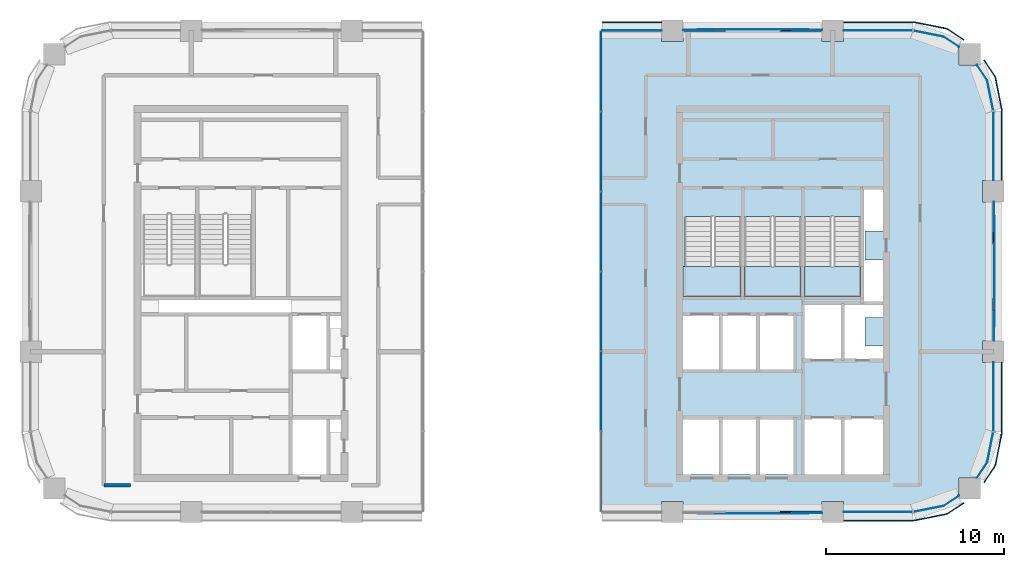
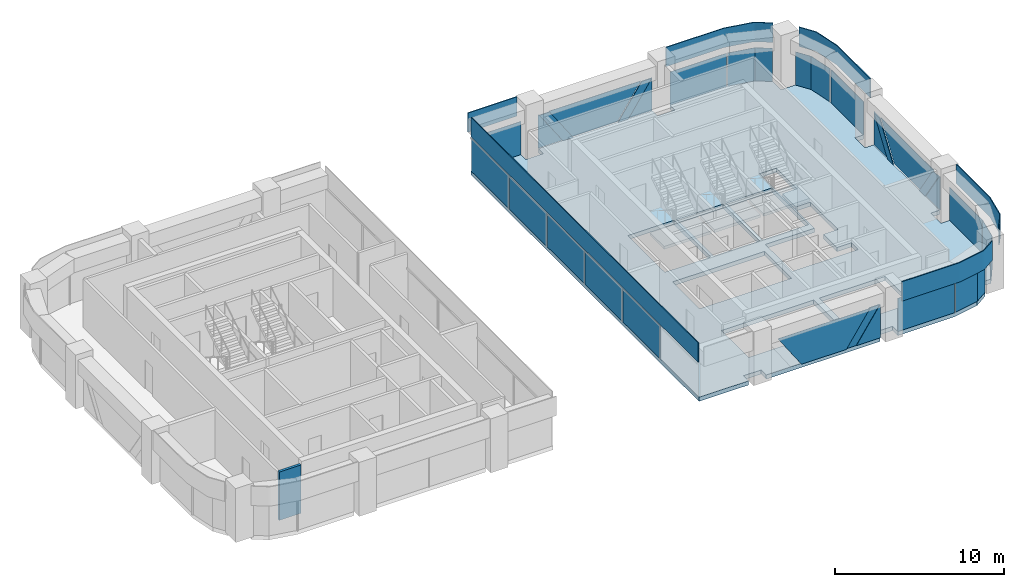
# One storey, part 5 of 11: 33 plates, 4 slabs, 1 wall, 12 elements without a shape of their own.
"""IFC4 building model written with IfcOpenShell, lengths in metres."""

from ifc_helpers import new_model, si_unit, direction, frame, frame_2d, origin, origin_2d, place, context, subcontext, project, spatial, polyline, rectangle, outline, extrude, material, layer, layer_set, type_object, element, aggregate, save


model = new_model("IFC4")

# Units and contexts
model_context = context("Model", 3, precision=1e-05, world=origin(), true_north=direction((0.0, 1.0)))
body_context = subcontext(model_context, "Body", "Model", "MODEL_VIEW")
ifc_project = project(units=[si_unit("LENGTHUNIT", "METRE"), si_unit("AREAUNIT", "SQUARE_METRE"), si_unit("VOLUMEUNIT", "CUBIC_METRE"), si_unit("PLANEANGLEUNIT", "RADIAN"), si_unit("MASSUNIT", "GRAM", prefix="KILO")], contexts=[model_context])

# Site, building, storey
site_placement = place(None, origin())
site = spatial("IfcSite", under=ifc_project, at=site_placement, CompositionType="ELEMENT")
building_placement = place(site_placement, origin())
building = spatial("IfcBuilding", under=site, at=building_placement, Name="Tessera Arch", CompositionType="ELEMENT")
storey_placement = place(building_placement, frame((0.0, 0.0, 222.800048828125)))
storey = spatial("IfcBuildingStorey", under=building, at=storey_placement, Name="L53", CompositionType="ELEMENT", Elevation=222.800048828125)

# Curtain wall, plates
ifc_material_1 = material(Name="CW1 curtain wall")
curtain_wall_type_1 = type_object("IfcCurtainWallType", Name="CW1 curtain wall", PredefinedType="NOTDEFINED", material=ifc_material_1)
curtain_wall_1_placement = place(storey_placement, origin())
curtain_wall_1 = element("IfcCurtainWall", 1, at=curtain_wall_1_placement, inside=storey, type_object=curtain_wall_type_1, Name="CW1 curtain wall N54.32/2 L53", PredefinedType="NOTDEFINED")
ifc_material_2 = material(Name="Clear low-e glass", Category="glass")
ifc_material_3 = material(Name="Clear low-e glass", Category="glass")
ifc_layer_1 = layer(ifc_material_3, 0.028076171875)
ifc_layer_set_1 = layer_set([ifc_layer_1], Name="CW1 glass panel")
plate_type_1 = type_object("IfcPlateType", Name="CW1 glass panel", PredefinedType="CURTAIN_PANEL", material=ifc_layer_set_1)
plate_1_placement = place(storey_placement, frame((33.72509765625, 54.0, 0.0), z_axis=(0.0, 0.0, 1.0), x_axis=(-1.0, 0.0, 0.0)))
plate_1 = element("IfcPlate", 2, at=plate_1_placement, type_object=plate_type_1, material=ifc_material_2, Name="CW1 glass panel N54.32/2 1.1.1", PredefinedType="CURTAIN_PANEL", context=body_context, shape_type="SweptSolid", body=[
    extrude(rectangle(XDim=3.35009765625, YDim=0.028076171875, at=origin_2d()), origin(), (0.0, 0.0, 1.0), 2.39990234375),
])
ifc_material_4 = material(Name="Pale anodised aluminium panel", Category="aluminium")
ifc_layer_2 = layer(ifc_material_4, 0.06005859375)
ifc_layer_set_2 = layer_set([ifc_layer_2], Name="CW1 spandrel panel")
plate_type_2 = type_object("IfcPlateType", Name="CW1 spandrel panel", PredefinedType="CURTAIN_PANEL", material=ifc_layer_set_2)
plate_2_placement = place(storey_placement, frame((33.72509765625, 54.47998046875, 2.5), z_axis=(0.0, 0.0, 1.0), x_axis=(-1.0, 0.0, 0.0)))
plate_2 = element("IfcPlate", 3, at=plate_2_placement, type_object=plate_type_2, Name="CW1 spandrel panel N54.32/2", PredefinedType="CURTAIN_PANEL", context=body_context, shape_type="SweptSolid", body=[
    extrude(rectangle(XDim=3.35009765625, YDim=0.06005859375, at=origin_2d()), origin(), (0.0, 0.0, 1.0), 1.39990234375),
])
aggregate(curtain_wall_1, [plate_1, plate_2])

ifc_material_5 = material(Name="CW2 curtain wall")
curtain_wall_type_2 = type_object("IfcCurtainWallType", Name="CW2 curtain wall", PredefinedType="NOTDEFINED", material=ifc_material_5)
curtain_wall_2_placement = place(storey_placement, origin())
curtain_wall_2 = element("IfcCurtainWall", 4, at=curtain_wall_2_placement, inside=storey, type_object=curtain_wall_type_2, Name="CW2 curtain wall S27.32/2 L53", PredefinedType="NOTDEFINED")
ifc_material_6 = material(Name="Clear low-e glass", Category="glass")
ifc_layer_3 = layer(ifc_material_6, 0.028076171875)
ifc_layer_set_3 = layer_set([ifc_layer_3], Name="CW2 glass panel")
plate_type_3 = type_object("IfcPlateType", Name="CW2 glass panel", PredefinedType="CURTAIN_PANEL", material=ifc_layer_set_3)
plate_3_placement = place(storey_placement, frame((47.530029296875, 27.0, 0.0), z_axis=(0.0, 0.0, 1.0), x_axis=(1.0, 0.0, 0.0)))
plate_3 = element("IfcPlate", 5, at=plate_3_placement, type_object=plate_type_3, material=ifc_material_2, Name="CW2 glass panel S27.32/2 1.1", PredefinedType="CURTAIN_PANEL", context=body_context, shape_type="SweptSolid", body=[
    extrude(rectangle(XDim=3.860107421875, YDim=0.028076171875, at=origin_2d()), origin(), (0.0, 0.0, 1.0), 2.39990234375),
])
plate_4_placement = place(storey_placement, origin())
plate_4 = element("IfcPlate", 6, at=plate_4_placement, type_object=plate_type_3, material=ifc_material_2, Name="CW2 curved glass panel S27.32/2 2.1", PredefinedType="CURTAIN_PANEL", context=body_context, shape_type="SweptSolid", body=[
    extrude(outline(polyline([(51.216552734375, 27.355712890625), (49.53662109375, 27.021484375), (49.5419921875, 26.994140625), (51.2275390625, 27.329345703125), (52.08984375, 27.905517578125), (52.07421875, 27.9287109375), (51.216552734375, 27.355712890625)])), origin(), (0.0, 0.0, 1.0), 2.39990234375),
])

curtain_wall_3_placement = place(storey_placement, origin())
curtain_wall_3 = element("IfcCurtainWall", 7, at=curtain_wall_3_placement, inside=storey, type_object=curtain_wall_type_2, Name="CW2 curtain wall E54.27/0 L53", PredefinedType="NOTDEFINED")
plate_5_placement = place(storey_placement, frame((54.0, 33.469970703125, 0.0), z_axis=(0.0, 0.0, 1.0), x_axis=(0.0, 1.0, 0.0)))
plate_5 = element("IfcPlate", 8, at=plate_5_placement, type_object=plate_type_3, material=ifc_material_2, Name="CW2 glass panel E54.27/0 1.1", PredefinedType="CURTAIN_PANEL", context=body_context, shape_type="SweptSolid", body=[
    extrude(rectangle(XDim=3.860107421875, YDim=0.028076171875, at=origin_2d()), origin(), (0.0, 0.0, 1.0), 2.39990234375),
])
plate_6_placement = place(storey_placement, origin())
plate_6 = element("IfcPlate", 9, at=plate_6_placement, type_object=plate_type_3, material=ifc_material_2, Name="CW2 curved glass panel E54.27/0 2.1", PredefinedType="CURTAIN_PANEL", context=body_context, shape_type="SweptSolid", body=[
    extrude(outline(polyline([(53.644287109375, 29.783447265625), (53.0712890625, 28.92578125), (53.094482421875, 28.91015625), (53.670654296875, 29.7724609375), (54.005859375, 31.4580078125), (53.978515625, 31.46337890625), (53.644287109375, 29.783447265625)])), origin(), (0.0, 0.0, 1.0), 2.39990234375),
])

curtain_wall_4_placement = place(storey_placement, origin())
curtain_wall_4 = element("IfcCurtainWall", 10, at=curtain_wall_4_placement, inside=storey, type_object=curtain_wall_type_2, Name="CW2 curtain wall E54.27/2 L53", PredefinedType="NOTDEFINED")
plate_7_placement = place(storey_placement, frame((54.0, 47.530029296875, 0.0), z_axis=(0.0, 0.0, 1.0), x_axis=(0.0, 1.0, 0.0)))
plate_7 = element("IfcPlate", 11, at=plate_7_placement, type_object=plate_type_3, material=ifc_material_2, Name="CW2 glass panel E54.27/2 1.1", PredefinedType="CURTAIN_PANEL", context=body_context, shape_type="SweptSolid", body=[
    extrude(rectangle(XDim=3.860107421875, YDim=0.028076171875, at=origin_2d()), origin(), (0.0, 0.0, 1.0), 2.39990234375),
])
plate_8_placement = place(storey_placement, origin())
plate_8 = element("IfcPlate", 12, at=plate_8_placement, type_object=plate_type_3, material=ifc_material_2, Name="CW2 curved glass panel E54.27/2 2.1", PredefinedType="CURTAIN_PANEL", context=body_context, shape_type="SweptSolid", body=[
    extrude(outline(polyline([(53.644287109375, 51.216552734375), (53.978515625, 49.53662109375), (54.005859375, 49.5419921875), (53.670654296875, 51.2275390625), (53.094482421875, 52.08984375), (53.0712890625, 52.07421875), (53.644287109375, 51.216552734375)])), origin(), (0.0, 0.0, 1.0), 2.39990234375),
])

curtain_wall_5_placement = place(storey_placement, origin())
curtain_wall_5 = element("IfcCurtainWall", 13, at=curtain_wall_5_placement, inside=storey, type_object=curtain_wall_type_2, Name="CW2 curtain wall N54.32/0 L53", PredefinedType="NOTDEFINED")
plate_9_placement = place(storey_placement, frame((47.530029296875, 54.0, 0.0), z_axis=(0.0, 0.0, 1.0), x_axis=(-1.0, 0.0, 0.0)))
plate_9 = element("IfcPlate", 14, at=plate_9_placement, type_object=plate_type_3, material=ifc_material_2, Name="CW2 glass panel N54.32/0 1.1", PredefinedType="CURTAIN_PANEL", context=body_context, shape_type="SweptSolid", body=[
    extrude(rectangle(XDim=3.860107421875, YDim=0.028076171875, at=origin_2d()), origin(), (0.0, 0.0, 1.0), 2.39990234375),
])
plate_10_placement = place(storey_placement, origin())
plate_10 = element("IfcPlate", 15, at=plate_10_placement, type_object=plate_type_3, material=ifc_material_2, Name="CW2 curved glass panel N54.32/0 2.1", PredefinedType="CURTAIN_PANEL", context=body_context, shape_type="SweptSolid", body=[
    extrude(outline(polyline([(51.216552734375, 53.644287109375), (52.07421875, 53.0712890625), (52.08984375, 53.094482421875), (51.2275390625, 53.670654296875), (49.5419921875, 54.005859375), (49.53662109375, 53.978515625), (51.216552734375, 53.644287109375)])), origin(), (0.0, 0.0, 1.0), 2.39990234375),
])

# Plate
ifc_material_7 = material(Name="Pale anodised aluminium panel", Category="aluminium")
ifc_layer_4 = layer(ifc_material_7, 0.06005859375)
ifc_layer_set_4 = layer_set([ifc_layer_4], Name="CW2 spandrel panel")
plate_type_4 = type_object("IfcPlateType", Name="CW2 spandrel panel", PredefinedType="CURTAIN_PANEL", material=ifc_layer_set_4)
plate_11_placement = place(storey_placement, frame((0.0, 0.0, 2.5)))
plate_11 = element("IfcPlate", 16, at=plate_11_placement, type_object=plate_type_4, Name="CW2 spandrel panel S27.32/2", PredefinedType="CURTAIN_PANEL", context=body_context, shape_type="SweptSolid", body=[
    extrude(outline(polyline([(49.499267578125, 26.550048828125), (45.60009765625, 26.550048828125), (45.60009765625, 26.489990234375), (49.500732421875, 26.489990234375), (49.550048828125, 26.492431640625), (49.598876953125, 26.499755859375), (51.322265625, 26.842529296875), (51.3701171875, 26.8544921875), (51.417236328125, 26.871337890625), (51.462646484375, 26.892578125), (51.5048828125, 26.91796875), (52.365234375, 27.4931640625), (52.33203125, 27.54296875), (51.47265625, 26.96875), (51.434326171875, 26.945556640625), (51.394287109375, 26.9267578125), (51.352783203125, 26.911865234375), (51.30908203125, 26.90087890625), (49.588623046875, 26.558837890625), (49.544189453125, 26.55224609375), (49.499267578125, 26.550048828125)])), origin(), (0.0, 0.0, 1.0), 1.39990234375),
])

aggregate(curtain_wall_2, [plate_3, plate_4, plate_11])

plate_12_placement = place(storey_placement, frame((0.0, 0.0, 2.5)))
plate_12 = element("IfcPlate", 17, at=plate_12_placement, type_object=plate_type_4, Name="CW2 spandrel panel E54.27/0", PredefinedType="CURTAIN_PANEL", context=body_context, shape_type="SweptSolid", body=[
    extrude(outline(polyline([(54.03125, 29.52734375), (53.45703125, 28.66796875), (53.5068359375, 28.634765625), (54.08203125, 29.4951171875), (54.107421875, 29.537353515625), (54.128662109375, 29.582763671875), (54.1455078125, 29.6298828125), (54.157470703125, 29.677734375), (54.500244140625, 31.401123046875), (54.507568359375, 31.449951171875), (54.510009765625, 31.499267578125), (54.510009765625, 35.39990234375), (54.449951171875, 35.39990234375), (54.449951171875, 31.500732421875), (54.44775390625, 31.455810546875), (54.441162109375, 31.411376953125), (54.09912109375, 29.69091796875), (54.088134765625, 29.647216796875), (54.0732421875, 29.605712890625), (54.054443359375, 29.565673828125), (54.03125, 29.52734375)])), origin(), (0.0, 0.0, 1.0), 1.39990234375),
])

aggregate(curtain_wall_3, [plate_5, plate_6, plate_12])

plate_13_placement = place(storey_placement, frame((0.0, 0.0, 2.5)))
plate_13 = element("IfcPlate", 18, at=plate_13_placement, type_object=plate_type_4, Name="CW2 spandrel panel E54.27/2", PredefinedType="CURTAIN_PANEL", context=body_context, shape_type="SweptSolid", body=[
    extrude(outline(polyline([(54.449951171875, 49.499267578125), (54.449951171875, 45.60009765625), (54.510009765625, 45.60009765625), (54.510009765625, 49.500732421875), (54.507568359375, 49.550048828125), (54.500244140625, 49.598876953125), (54.157470703125, 51.322265625), (54.1455078125, 51.3701171875), (54.128662109375, 51.417236328125), (54.107421875, 51.462646484375), (54.08203125, 51.5048828125), (53.5068359375, 52.365234375), (53.45703125, 52.33203125), (54.03125, 51.47265625), (54.054443359375, 51.434326171875), (54.0732421875, 51.394287109375), (54.088134765625, 51.352783203125), (54.09912109375, 51.30908203125), (54.441162109375, 49.588623046875), (54.44775390625, 49.544189453125), (54.449951171875, 49.499267578125)])), origin(), (0.0, 0.0, 1.0), 1.39990234375),
])

aggregate(curtain_wall_4, [plate_7, plate_8, plate_13])

plate_14_placement = place(storey_placement, frame((0.0, 0.0, 2.5)))
plate_14 = element("IfcPlate", 19, at=plate_14_placement, type_object=plate_type_4, Name="CW2 spandrel panel N54.32/0", PredefinedType="CURTAIN_PANEL", context=body_context, shape_type="SweptSolid", body=[
    extrude(outline(polyline([(51.47265625, 54.03125), (52.33203125, 53.45703125), (52.365234375, 53.5068359375), (51.5048828125, 54.08203125), (51.462646484375, 54.107421875), (51.417236328125, 54.128662109375), (51.3701171875, 54.1455078125), (51.322265625, 54.157470703125), (49.598876953125, 54.500244140625), (49.550048828125, 54.507568359375), (49.500732421875, 54.510009765625), (45.60009765625, 54.510009765625), (45.60009765625, 54.449951171875), (49.499267578125, 54.449951171875), (49.544189453125, 54.44775390625), (49.588623046875, 54.441162109375), (51.30908203125, 54.09912109375), (51.352783203125, 54.088134765625), (51.394287109375, 54.0732421875), (51.434326171875, 54.054443359375), (51.47265625, 54.03125)])), origin(), (0.0, 0.0, 1.0), 1.39990234375),
])

aggregate(curtain_wall_5, [plate_9, plate_10, plate_14])

# Curtain wall, plate
ifc_material_8 = material(Name="CW3 curtain wall")
curtain_wall_type_3 = type_object("IfcCurtainWallType", Name="CW3 curtain wall", PredefinedType="NOTDEFINED", material=ifc_material_8)
curtain_wall_6_placement = place(storey_placement, origin())
curtain_wall_6 = element("IfcCurtainWall", 20, at=curtain_wall_6_placement, inside=storey, type_object=curtain_wall_type_3, Name="CW3 curtain wall S27.32/1 L53", PredefinedType="NOTDEFINED")
ifc_material_9 = material(Name="Pale anodised aluminium panel", Category="aluminium")
ifc_layer_5 = layer(ifc_material_9, 0.06005859375)
ifc_layer_set_5 = layer_set([ifc_layer_5], Name="CW3 diagonal panel")
plate_type_5 = type_object("IfcPlateType", Name="CW3 diagonal panel", PredefinedType="CURTAIN_PANEL", material=ifc_layer_set_5)
plate_15_placement = place(storey_placement, frame((44.34423828125, 26.969970703125, 2.39990234375), z_axis=(0.0, -1.0, 0.0), x_axis=(-1.0, 0.0, 0.0)))
plate_15 = element("IfcPlate", 21, at=plate_15_placement, type_object=plate_type_5, Name="CW3 diagonal panel S27.32/1 1", PredefinedType="CURTAIN_PANEL", context=body_context, shape_type="SweptSolid", body=[
    extrude(outline(polyline([(0.0, 0.0), (0.6953125, 0.0), (2.30908203125, 2.39990234375), (1.61376953125, 2.39990234375), (0.0, 0.0)])), origin(), (0.0, 0.0, -1.0), 0.06005859375),
])

# Curtain wall, plates
curtain_wall_7_placement = place(storey_placement, origin())
curtain_wall_7 = element("IfcCurtainWall", 22, at=curtain_wall_7_placement, inside=storey, type_object=curtain_wall_type_3, Name="CW3 curtain wall E54.27/1 L53", PredefinedType="NOTDEFINED")
plate_16_placement = place(storey_placement, frame((54.030029296875, 44.34423828125, 2.39990234375), z_axis=(1.0, 0.0, 0.0), x_axis=(0.0, -1.0, 0.0)))
plate_16 = element("IfcPlate", 23, at=plate_16_placement, type_object=plate_type_5, Name="CW3 diagonal panel E54.27/1 1", PredefinedType="CURTAIN_PANEL", context=body_context, shape_type="SweptSolid", body=[
    extrude(outline(polyline([(0.0, 0.0), (0.6953125, 0.0), (2.30908203125, 2.39990234375), (1.61376953125, 2.39990234375), (0.0, 0.0)])), origin(), (0.0, 0.0, -1.0), 0.06005859375),
])
plate_17_placement = place(storey_placement, frame((54.030029296875, 37.35107421875, 2.39990234375), z_axis=(1.0, 0.0, 0.0), x_axis=(0.0, -1.0, 0.0)))
plate_17 = element("IfcPlate", 24, at=plate_17_placement, type_object=plate_type_5, Name="CW3 diagonal panel E54.27/1 2", PredefinedType="CURTAIN_PANEL", context=body_context, shape_type="SweptSolid", body=[
    extrude(outline(polyline([(0.0, 0.0), (0.6953125, 0.0), (-0.91845703125, 2.39990234375), (-1.61376953125, 2.39990234375), (0.0, 0.0)])), origin(), (0.0, 0.0, -1.0), 0.06005859375),
])

curtain_wall_8_placement = place(storey_placement, origin())
curtain_wall_8 = element("IfcCurtainWall", 25, at=curtain_wall_8_placement, inside=storey, type_object=curtain_wall_type_3, Name="CW3 curtain wall N54.32/1 L53", PredefinedType="NOTDEFINED")
plate_18_placement = place(storey_placement, frame((36.65576171875, 54.030029296875, 2.39990234375), z_axis=(0.0, 1.0, 0.0), x_axis=(1.0, 0.0, 0.0)))
plate_18 = element("IfcPlate", 26, at=plate_18_placement, type_object=plate_type_5, Name="CW3 diagonal panel N54.32/1 1", PredefinedType="CURTAIN_PANEL", context=body_context, shape_type="SweptSolid", body=[
    extrude(outline(polyline([(0.0, 0.0), (0.6953125, 0.0), (2.30908203125, 2.39990234375), (1.61376953125, 2.39990234375), (0.0, 0.0)])), origin(), (0.0, 0.0, -1.0), 0.06005859375),
])
plate_19_placement = place(storey_placement, frame((43.64892578125, 54.030029296875, 2.39990234375), z_axis=(0.0, 1.0, 0.0), x_axis=(1.0, 0.0, 0.0)))
plate_19 = element("IfcPlate", 27, at=plate_19_placement, type_object=plate_type_5, Name="CW3 diagonal panel N54.32/1 2", PredefinedType="CURTAIN_PANEL", context=body_context, shape_type="SweptSolid", body=[
    extrude(outline(polyline([(0.0, 0.0), (0.6953125, 0.0), (-0.91845703125, 2.39990234375), (-1.61376953125, 2.39990234375), (0.0, 0.0)])), origin(), (0.0, 0.0, -1.0), 0.06005859375),
])

# Plate
ifc_material_10 = material(Name="Clear low-e glass", Category="glass")
ifc_layer_6 = layer(ifc_material_10, 0.028076171875)
ifc_layer_set_6 = layer_set([ifc_layer_6], Name="CW3 glass panel")
plate_type_6 = type_object("IfcPlateType", Name="CW3 glass panel", PredefinedType="CURTAIN_PANEL", material=ifc_layer_set_6)
plate_20_placement = place(storey_placement, frame((43.64892578125, 26.9140625, 2.39990234375), z_axis=(0.0, -1.0, 0.0), x_axis=(-1.0, 0.0, 0.0)))
plate_20 = element("IfcPlate", 28, at=plate_20_placement, type_object=plate_type_6, material=ifc_material_2, Name="CW3 triangulated glass panel S27.32/1 2", PredefinedType="CURTAIN_PANEL", context=body_context, shape_type="SweptSolid", body=[
    extrude(outline(polyline([(0.0, 0.0), (6.2978515625, 0.0), (4.68408203125, 2.39990234375), (1.61376953125, 2.39990234375), (0.0, 0.0)])), origin(), (0.0, 0.0, -1.0), 0.028076171875),
])

plate_21_placement = place(storey_placement, frame((44.39990234375, 26.94189453125, 2.39990234375), z_axis=(0.0, -1.0, 0.0), x_axis=(-1.0, 0.0, 0.0)))
plate_21 = element("IfcPlate", 29, at=plate_21_placement, type_object=plate_type_6, material=ifc_material_2, Name="CW3 triangulated glass panel S27.32/1 3", PredefinedType="CURTAIN_PANEL", context=body_context, shape_type="SweptSolid", body=[
    extrude(outline(polyline([(0.0, 0.0), (0.0556640625, 0.0), (1.66943359375, 2.39990234375), (0.0, 2.39990234375), (0.0, 0.0)])), origin(), (0.0, 0.0, -1.0), 0.028076171875),
])

aggregate(curtain_wall_6, [plate_20, plate_21, plate_15])

plate_22_placement = place(storey_placement, frame((54.05810546875, 36.60009765625, 0.0), z_axis=(1.0, 0.0, 0.0), x_axis=(0.0, 1.0, 0.0)))
plate_22 = element("IfcPlate", 30, at=plate_22_placement, type_object=plate_type_6, material=ifc_material_2, Name="CW3 triangulated glass panel E54.27/1 1", PredefinedType="CURTAIN_PANEL", context=body_context, shape_type="SweptSolid", body=[
    extrude(outline(polyline([(0.0, 0.0), (1.66943359375, 0.0), (0.0556640625, 2.39990234375), (0.0, 2.39990234375), (0.0, 0.0)])), origin(), (0.0, 0.0, -1.0), 0.028076171875),
])

plate_23_placement = place(storey_placement, frame((54.0859375, 43.64892578125, 2.39990234375), z_axis=(1.0, 0.0, 0.0), x_axis=(0.0, -1.0, 0.0)))
plate_23 = element("IfcPlate", 31, at=plate_23_placement, type_object=plate_type_6, material=ifc_material_2, Name="CW3 triangulated glass panel E54.27/1 2", PredefinedType="CURTAIN_PANEL", context=body_context, shape_type="SweptSolid", body=[
    extrude(outline(polyline([(0.0, 0.0), (6.2978515625, 0.0), (4.68408203125, 2.39990234375), (1.61376953125, 2.39990234375), (0.0, 0.0)])), origin(), (0.0, 0.0, -1.0), 0.028076171875),
])

plate_24_placement = place(storey_placement, frame((54.05810546875, 44.39990234375, 2.39990234375), z_axis=(1.0, 0.0, 0.0), x_axis=(0.0, -1.0, 0.0)))
plate_24 = element("IfcPlate", 32, at=plate_24_placement, type_object=plate_type_6, material=ifc_material_2, Name="CW3 triangulated glass panel E54.27/1 3", PredefinedType="CURTAIN_PANEL", context=body_context, shape_type="SweptSolid", body=[
    extrude(outline(polyline([(0.0, 0.0), (0.0556640625, 0.0), (1.66943359375, 2.39990234375), (0.0, 2.39990234375), (0.0, 0.0)])), origin(), (0.0, 0.0, -1.0), 0.028076171875),
])

aggregate(curtain_wall_7, [plate_22, plate_23, plate_24, plate_16, plate_17])

plate_25_placement = place(storey_placement, frame((44.39990234375, 54.05810546875, 0.0), z_axis=(0.0, 1.0, 0.0), x_axis=(-1.0, 0.0, 0.0)))
plate_25 = element("IfcPlate", 33, at=plate_25_placement, type_object=plate_type_6, material=ifc_material_2, Name="CW3 triangulated glass panel N54.32/1 1", PredefinedType="CURTAIN_PANEL", context=body_context, shape_type="SweptSolid", body=[
    extrude(outline(polyline([(0.0, 0.0), (1.66943359375, 0.0), (0.0556640625, 2.39990234375), (0.0, 2.39990234375), (0.0, 0.0)])), origin(), (0.0, 0.0, -1.0), 0.028076171875),
])

plate_26_placement = place(storey_placement, frame((37.35107421875, 54.0859375, 2.39990234375), z_axis=(0.0, 1.0, 0.0), x_axis=(1.0, 0.0, 0.0)))
plate_26 = element("IfcPlate", 34, at=plate_26_placement, type_object=plate_type_6, material=ifc_material_2, Name="CW3 triangulated glass panel N54.32/1 2", PredefinedType="CURTAIN_PANEL", context=body_context, shape_type="SweptSolid", body=[
    extrude(outline(polyline([(0.0, 0.0), (6.2978515625, 0.0), (4.68408203125, 2.39990234375), (1.61376953125, 2.39990234375), (0.0, 0.0)])), origin(), (0.0, 0.0, -1.0), 0.028076171875),
])

plate_27_placement = place(storey_placement, frame((36.60009765625, 54.05810546875, 2.39990234375), z_axis=(0.0, 1.0, 0.0), x_axis=(1.0, 0.0, 0.0)))
plate_27 = element("IfcPlate", 35, at=plate_27_placement, type_object=plate_type_6, material=ifc_material_2, Name="CW3 triangulated glass panel N54.32/1 3", PredefinedType="CURTAIN_PANEL", context=body_context, shape_type="SweptSolid", body=[
    extrude(outline(polyline([(0.0, 0.0), (0.0556640625, 0.0), (1.66943359375, 2.39990234375), (0.0, 2.39990234375), (0.0, 0.0)])), origin(), (0.0, 0.0, -1.0), 0.028076171875),
])

aggregate(curtain_wall_8, [plate_25, plate_26, plate_27, plate_18, plate_19])

# Curtain wall, plates
ifc_material_11 = material(Name="CW5 curtain wall")
curtain_wall_type_4 = type_object("IfcCurtainWallType", Name="CW5 curtain wall", PredefinedType="NOTDEFINED", material=ifc_material_11)
curtain_wall_9_placement = place(storey_placement, origin())
curtain_wall_9 = element("IfcCurtainWall", 36, at=curtain_wall_9_placement, inside=storey, type_object=curtain_wall_type_4, Name="CW5 curtain wall W32.27/0 L53", PredefinedType="NOTDEFINED")
ifc_material_12 = material(Name="Clear low-e glass", Category="glass")
ifc_layer_7 = layer(ifc_material_12, 0.028076171875)
ifc_layer_set_7 = layer_set([ifc_layer_7], Name="CW5 glass panel")
plate_type_7 = type_object("IfcPlateType", Name="CW5 glass panel", PredefinedType="CURTAIN_PANEL", material=ifc_layer_set_7)
plate_28_placement = place(storey_placement, frame((32.0, 51.728271484375, 0.0), z_axis=(0.0, 0.0, 1.0), x_axis=(0.0, -1.0, 0.0)))
plate_28 = element("IfcPlate", 37, at=plate_28_placement, type_object=plate_type_7, material=ifc_material_2, Name="CW5 glass panel W32.27/0 1.1.1", PredefinedType="CURTAIN_PANEL", context=body_context, shape_type="SweptSolid", body=[
    extrude(rectangle(XDim=4.443359375, YDim=0.028076171875, at=origin_2d()), origin(), (0.0, 0.0, 1.0), 2.39990234375),
])
plate_29_placement = place(storey_placement, frame((32.0, 47.22509765625, 0.0), z_axis=(0.0, 0.0, 1.0), x_axis=(0.0, -1.0, 0.0)))
plate_29 = element("IfcPlate", 38, at=plate_29_placement, type_object=plate_type_7, material=ifc_material_2, Name="CW5 glass panel W32.27/0 1.2.1", PredefinedType="CURTAIN_PANEL", context=body_context, shape_type="SweptSolid", body=[
    extrude(rectangle(XDim=4.4033203125, YDim=0.028076171875, at=origin_2d()), origin(), (0.0, 0.0, 1.0), 2.39990234375),
])
plate_30_placement = place(storey_placement, frame((32.0, 42.74169921875, 0.0), z_axis=(0.0, 0.0, 1.0), x_axis=(0.0, -1.0, 0.0)))
plate_30 = element("IfcPlate", 39, at=plate_30_placement, type_object=plate_type_7, material=ifc_material_2, Name="CW5 glass panel W32.27/0 1.3.1", PredefinedType="CURTAIN_PANEL", context=body_context, shape_type="SweptSolid", body=[
    extrude(rectangle(XDim=4.4033203125, YDim=0.028076171875, at=origin_2d()), origin(), (0.0, 0.0, 1.0), 2.39990234375),
])
plate_31_placement = place(storey_placement, frame((32.0, 38.25830078125, 0.0), z_axis=(0.0, 0.0, 1.0), x_axis=(0.0, -1.0, 0.0)))
plate_31 = element("IfcPlate", 40, at=plate_31_placement, type_object=plate_type_7, material=ifc_material_2, Name="CW5 glass panel W32.27/0 1.4.1", PredefinedType="CURTAIN_PANEL", context=body_context, shape_type="SweptSolid", body=[
    extrude(rectangle(XDim=4.4033203125, YDim=0.028076171875, at=origin_2d()), origin(), (0.0, 0.0, 1.0), 2.39990234375),
])
plate_32_placement = place(storey_placement, frame((32.0, 33.77490234375, 0.0), z_axis=(0.0, 0.0, 1.0), x_axis=(0.0, -1.0, 0.0)))
plate_32 = element("IfcPlate", 41, at=plate_32_placement, type_object=plate_type_7, material=ifc_material_2, Name="CW5 glass panel W32.27/0 1.5.1", PredefinedType="CURTAIN_PANEL", context=body_context, shape_type="SweptSolid", body=[
    extrude(rectangle(XDim=4.4033203125, YDim=0.028076171875, at=origin_2d()), origin(), (0.0, 0.0, 1.0), 2.39990234375),
])
ifc_material_13 = material(Name="Pale anodised aluminium panel", Category="aluminium")
ifc_layer_8 = layer(ifc_material_13, 0.06005859375)
ifc_layer_set_8 = layer_set([ifc_layer_8], Name="CW5 spandrel panel")
plate_type_8 = type_object("IfcPlateType", Name="CW5 spandrel panel", PredefinedType="CURTAIN_PANEL", material=ifc_layer_set_8)
plate_33_placement = place(storey_placement, frame((32.0, 40.5, 2.5), z_axis=(0.0, 0.0, 1.0), x_axis=(0.0, -1.0, 0.0)))
plate_33 = element("IfcPlate", 42, at=plate_33_placement, type_object=plate_type_8, Name="CW5 spandrel panel W32.27/0", PredefinedType="CURTAIN_PANEL", context=body_context, shape_type="SweptSolid", body=[
    extrude(rectangle(XDim=26.89990234375, YDim=0.06005859375, at=origin_2d()), origin(), (0.0, 0.0, 1.0), 1.39990234375),
])
aggregate(curtain_wall_9, [plate_28, plate_29, plate_30, plate_31, plate_32, plate_33])

# Slab
ifc_material_14 = material(Name="Concrete C40/50", Category="concrete")
ifc_layer_9 = layer(ifc_material_14, 0.300048828125)
ifc_layer_set_9 = layer_set([ifc_layer_9], Name="Floor slab 300 Concrete C40/50")
slab_type_1 = type_object("IfcSlabType", Name="Floor slab 300 Concrete C40/50", PredefinedType="FLOOR", material=ifc_layer_set_9)
slab_1_placement = place(storey_placement, frame((0.0, 0.0, -0.300048828125)))
element("IfcSlab", 43, at=slab_1_placement, inside=storey, type_object=slab_type_1, Name="Floor slab L53 2", PredefinedType="FLOOR", context=body_context, shape_type="SweptSolid", body=[
    extrude(outline(polyline([(51.22216796875, 53.657470703125), (52.08203125, 53.0830078125), (52.08203125, 52.08203125), (53.0830078125, 52.08203125), (53.657470703125, 51.22216796875), (54.0, 49.5), (54.0, 45.60009765625), (53.39990234375, 45.60009765625), (53.39990234375, 44.39990234375), (54.0, 44.39990234375), (54.0, 36.60009765625), (53.39990234375, 36.60009765625), (53.39990234375, 35.39990234375), (54.0, 35.39990234375), (54.0, 31.5), (53.657470703125, 29.77783203125), (53.0830078125, 28.91796875), (52.08203125, 28.91796875), (52.08203125, 27.9169921875), (51.22216796875, 27.342529296875), (49.5, 27.0), (45.60009765625, 27.0), (45.60009765625, 27.60009765625), (44.39990234375, 27.60009765625), (44.39990234375, 27.0), (36.60009765625, 27.0), (36.60009765625, 27.60009765625), (35.39990234375, 27.60009765625), (35.39990234375, 27.0), (32.0, 27.0), (32.0, 54.0), (35.39990234375, 54.0), (35.39990234375, 53.39990234375), (36.60009765625, 53.39990234375), (36.60009765625, 54.0), (44.39990234375, 54.0), (44.39990234375, 53.39990234375), (45.60009765625, 53.39990234375), (45.60009765625, 54.0), (49.5, 54.0), (51.22216796875, 53.657470703125)]), holes=[polyline([(36.60009765625, 29.10009765625), (38.699951171875, 29.10009765625), (40.800048828125, 29.10009765625), (42.89990234375, 29.10009765625), (42.89990234375, 32.300048828125), (40.800048828125, 32.300048828125), (38.699951171875, 32.300048828125), (36.60009765625, 32.300048828125), (36.60009765625, 29.10009765625)]), polyline([(47.800048828125, 32.300048828125), (45.550048828125, 32.300048828125), (43.300048828125, 32.300048828125), (43.300048828125, 29.10009765625), (45.550048828125, 29.10009765625), (47.800048828125, 29.10009765625), (47.800048828125, 32.300048828125)]), polyline([(42.89990234375, 34.89990234375), (42.89990234375, 38.10009765625), (40.800048828125, 38.10009765625), (38.699951171875, 38.10009765625), (36.60009765625, 38.10009765625), (36.60009765625, 34.89990234375), (38.699951171875, 34.89990234375), (40.800048828125, 34.89990234375), (42.89990234375, 34.89990234375)]), polyline([(47.800048828125, 41.14990234375), (46.800048828125, 41.14990234375), (46.800048828125, 42.75), (47.800048828125, 42.75), (47.800048828125, 45.199951171875), (46.64990234375, 45.199951171875), (46.64990234375, 38.699951171875), (45.550048828125, 38.699951171875), (43.300048828125, 38.699951171875), (43.300048828125, 35.5), (45.550048828125, 35.5), (47.800048828125, 35.5), (47.800048828125, 36.300048828125), (46.800048828125, 36.300048828125), (46.800048828125, 37.89990234375), (47.800048828125, 37.89990234375), (47.800048828125, 38.699951171875), (47.800048828125, 41.14990234375)]), polyline([(36.699951171875, 43.570068359375), (36.699951171875, 39.199951171875), (39.85009765625, 39.199951171875), (39.85009765625, 43.570068359375), (38.330078125, 43.570068359375), (38.330078125, 43.580078125), (38.219970703125, 43.580078125), (38.219970703125, 43.570068359375), (36.699951171875, 43.570068359375)]), polyline([(40.050048828125, 39.199951171875), (43.199951171875, 39.199951171875), (43.199951171875, 43.570068359375), (41.679931640625, 43.570068359375), (41.679931640625, 43.580078125), (41.570068359375, 43.580078125), (41.570068359375, 43.570068359375), (40.050048828125, 43.570068359375), (40.050048828125, 39.199951171875)]), polyline([(43.39990234375, 43.570068359375), (43.39990234375, 39.199951171875), (46.550048828125, 39.199951171875), (46.550048828125, 43.570068359375), (45.030029296875, 43.570068359375), (45.030029296875, 43.580078125), (44.919921875, 43.580078125), (44.919921875, 43.570068359375), (43.39990234375, 43.570068359375)])]), origin(), (0.0, 0.0, 1.0), 0.300048828125),
])

# Stair, slab
ifc_material_15 = material(Name="Concrete C40/50", Category="concrete")
stair_type = type_object("IfcStairType", Name="Dogleg stair 1520", PredefinedType="HALF_TURN_STAIR", material=ifc_material_15)
stair_1_placement = place(storey_placement, origin())
stair_1 = element("IfcStair", 44, at=stair_1_placement, inside=storey, type_object=stair_type, Name="L53 S1a", PredefinedType="HALF_TURN_STAIR")
ifc_material_16 = material(Name="Concrete C40/50", Category="concrete")
ifc_layer_10 = layer(ifc_material_16, 0.300048828125)
ifc_layer_set_10 = layer_set([ifc_layer_10], Name="Stair landing 300")
slab_type_2 = type_object("IfcSlabType", Name="Stair landing 300", PredefinedType="LANDING", material=ifc_layer_set_10)
slab_2_placement = place(storey_placement, frame((0.0, 0.0, 1.75)))
slab_2 = element("IfcSlab", 45, at=slab_2_placement, type_object=slab_type_2, Name="S1a landing 1", PredefinedType="LANDING", context=body_context, shape_type="SweptSolid", body=[
    extrude(outline(polyline([(36.60009765625, 40.780029296875), (36.60009765625, 39.10009765625), (39.85009765625, 39.10009765625), (39.85009765625, 40.780029296875), (36.60009765625, 40.780029296875)])), origin(), (0.0, 0.0, 1.0), 0.199951171875),
])
aggregate(stair_1, [slab_2])

stair_2_placement = place(storey_placement, origin())
stair_2 = element("IfcStair", 46, at=stair_2_placement, inside=storey, type_object=stair_type, Name="L53 S1b", PredefinedType="HALF_TURN_STAIR")
slab_3_placement = place(storey_placement, frame((0.0, 0.0, 1.75)))
slab_3 = element("IfcSlab", 47, at=slab_3_placement, type_object=slab_type_2, Name="S1b landing 1", PredefinedType="LANDING", context=body_context, shape_type="SweptSolid", body=[
    extrude(outline(polyline([(40.050048828125, 40.780029296875), (40.050048828125, 39.10009765625), (43.199951171875, 39.10009765625), (43.199951171875, 40.780029296875), (40.050048828125, 40.780029296875)])), origin(), (0.0, 0.0, 1.0), 0.199951171875),
])
aggregate(stair_2, [slab_3])

stair_3_placement = place(storey_placement, origin())
stair_3 = element("IfcStair", 48, at=stair_3_placement, inside=storey, type_object=stair_type, Name="L53 S1c", PredefinedType="HALF_TURN_STAIR")
slab_4_placement = place(storey_placement, frame((0.0, 0.0, 1.75)))
slab_4 = element("IfcSlab", 49, at=slab_4_placement, type_object=slab_type_2, Name="S1c landing 1", PredefinedType="LANDING", context=body_context, shape_type="SweptSolid", body=[
    extrude(outline(polyline([(43.39990234375, 40.780029296875), (43.39990234375, 39.10009765625), (46.550048828125, 39.10009765625), (46.550048828125, 40.780029296875), (43.39990234375, 40.780029296875)])), origin(), (0.0, 0.0, 1.0), 0.199951171875),
])
aggregate(stair_3, [slab_4])

# Wall
ifc_material_17 = material(Name="Gypsum board on deep steel stud with mineral wool", Category="steel")
ifc_layer_11 = layer(ifc_material_17, 0.175048828125)
ifc_layer_set_11 = layer_set([ifc_layer_11], Name="Corridor wall 175 EI 60")
wall_type = type_object("IfcWallType", Name="Corridor wall 175 EI 60", PredefinedType="PARTITIONING", material=ifc_layer_set_11)
wall_placement = place(storey_placement, frame((4.10009765625, 28.5, 0.0), z_axis=(0.0, 0.0, 1.0), x_axis=(1.0, 0.0, 0.0)))
element("IfcWall", 50, at=wall_placement, inside=storey, type_object=wall_type, Name="L53 partition 1", PredefinedType="PARTITIONING", context=body_context, shape_type="SweptSolid", body=[
    extrude(rectangle(XDim=1.5, YDim=0.175048828125, at=frame_2d((0.75, 0.0))), origin(), (0.0, 0.0, 1.0), 3.5),
])

save(model, "model.ifc")
